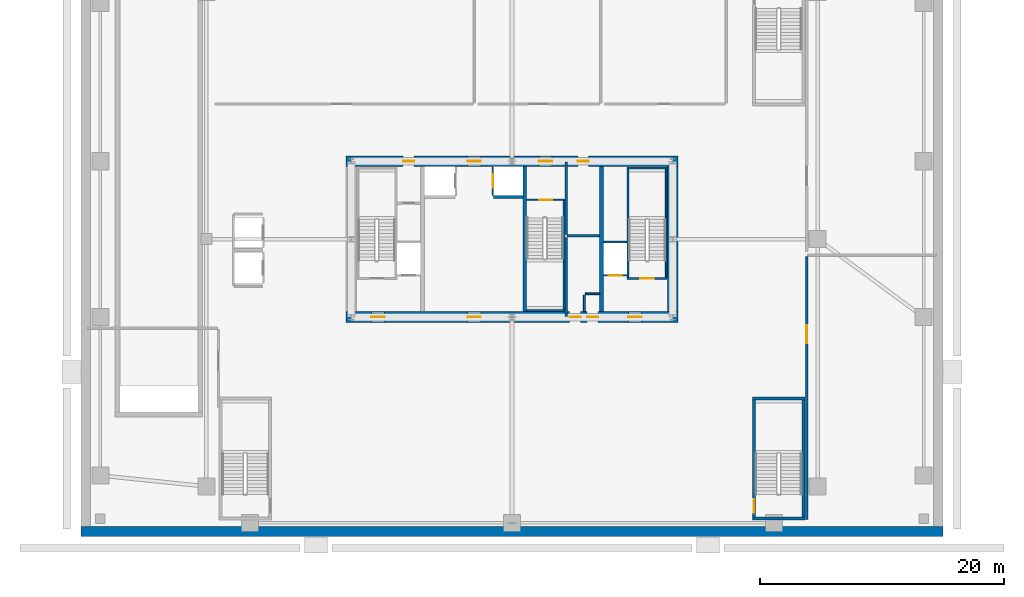
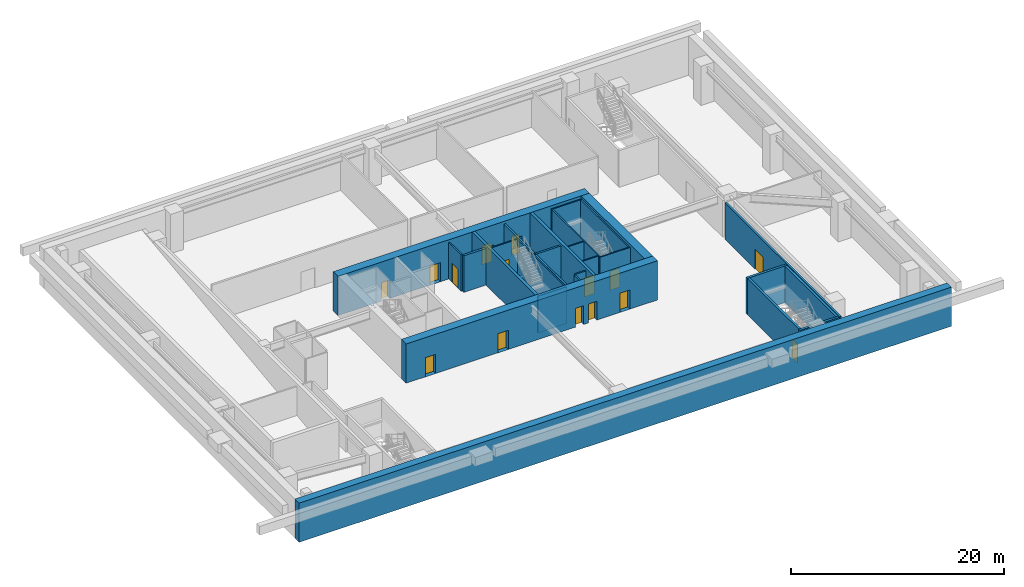
# One storey, part 5 of 9: 27 walls, 15 doors, 15 openings.
"""IFC4 building model written with IfcOpenShell, lengths in metres."""

from ifc_helpers import new_model, si_unit, direction, frame, frame_2d, origin, place, context, subcontext, project, spatial, rectangle, extrude, source, transform, mapped, material, layer, layer_set, type_object, element, fill, save


model = new_model("IFC4")

# Units and contexts
model_context = context("Model", 3, precision=1e-05, world=origin(), true_north=direction((0.0, 1.0)))
body_context = subcontext(model_context, "Body", "Model", "MODEL_VIEW")
ifc_project = project(units=[si_unit("LENGTHUNIT", "METRE"), si_unit("AREAUNIT", "SQUARE_METRE"), si_unit("VOLUMEUNIT", "CUBIC_METRE"), si_unit("PLANEANGLEUNIT", "RADIAN"), si_unit("MASSUNIT", "GRAM", prefix="KILO"), si_unit("THERMODYNAMICTEMPERATUREUNIT", "KELVIN"), si_unit("POWERUNIT", "WATT")], contexts=[model_context])

# Site, building, storey
site_placement = place(None, origin())
site = spatial("IfcSite", under=ifc_project, at=site_placement, CompositionType="ELEMENT")
building_placement = place(site_placement, origin())
building = spatial("IfcBuilding", under=site, at=building_placement, Name="Yuzanri Waterfront Tower", CompositionType="ELEMENT")
storey_placement = place(building_placement, frame((0.0, 0.0, -4.5)))
storey = spatial("IfcBuildingStorey", under=building, at=storey_placement, Name="B01", CompositionType="ELEMENT", Elevation=-4.5)

# Wall, openings, doors
ifc_material_1 = material(Name="Concrete C60", Category="concrete")
ifc_layer_1 = layer(ifc_material_1, 0.89990234375)
ifc_layer_set_1 = layer_set([ifc_layer_1], Name="Concrete C60")
wall_type_1 = type_object("IfcWallType", Name="Concrete C60 Lower Zone Core Shear Wall 900", PredefinedType="SHEAR", material=ifc_layer_set_1)
wall_1_placement = place(storey_placement, frame((23.35009765625, 19.39990234375, 0.0), z_axis=(0.0, 0.0, 1.0), x_axis=(1.0, 0.0, 0.0)))
wall_1 = element("IfcWall", 1, at=wall_1_placement, inside=storey, type_object=wall_type_1, Name="B01 Core South Shear Wall", PredefinedType="SHEAR", context=body_context, shape_type="SweptSolid", body=[
    extrude(rectangle(XDim=27.2998046875, YDim=0.89990234375, at=frame_2d((13.64990234375, 0.0))), origin(), (0.0, 0.0, 1.0), 4.5),
])
opening_1_placement = place(wall_1_placement, frame((2.10009765625, 0.0, 0.0)))
opening_1 = element("IfcOpeningElement", 2, at=opening_1_placement, cuts=wall_1, Name="Opening FD-1100", PredefinedType="OPENING", context=body_context, shape_type="SweptSolid", body=[
    extrude(rectangle(XDim=1.10009765625, YDim=2.199951171875, at=frame_2d((0.550048828125, 1.10009765625))), frame((0.0, 0.46484375, 0.0), z_axis=(0.0, -1.0, 0.0), x_axis=(1.0, 0.0, 0.0)), (0.0, 0.0, 1.0), 0.9296875),
])
opening_2_placement = place(wall_1_placement, frame((10.0, 0.0, 0.0)))
opening_2 = element("IfcOpeningElement", 3, at=opening_2_placement, cuts=wall_1, Name="Opening FD-1100", PredefinedType="OPENING", context=body_context, shape_type="SweptSolid", body=[
    extrude(rectangle(XDim=1.10009765625, YDim=2.199951171875, at=frame_2d((0.550048828125, 1.10009765625))), frame((0.0, 0.46484375, 0.0), z_axis=(0.0, -1.0, 0.0), x_axis=(1.0, 0.0, 0.0)), (0.0, 0.0, 1.0), 0.9296875),
])
opening_3_placement = place(wall_1_placement, frame((23.199951171875, 0.0, 0.0)))
opening_3 = element("IfcOpeningElement", 4, at=opening_3_placement, cuts=wall_1, Name="Opening FD-1100", PredefinedType="OPENING", context=body_context, shape_type="SweptSolid", body=[
    extrude(rectangle(XDim=1.10009765625, YDim=2.199951171875, at=frame_2d((0.550048828125, 1.10009765625))), frame((0.0, 0.46484375, 0.0), z_axis=(0.0, -1.0, 0.0), x_axis=(1.0, 0.0, 0.0)), (0.0, 0.0, 1.0), 0.9296875),
])
opening_4_placement = place(wall_1_placement, frame((19.820068359375, 0.0, 0.0)))
opening_4 = element("IfcOpeningElement", 5, at=opening_4_placement, cuts=wall_1, Name="Opening FD-0900", PredefinedType="OPENING", context=body_context, shape_type="SweptSolid", body=[
    extrude(rectangle(XDim=0.89990234375, YDim=2.14990234375, at=frame_2d((0.449951171875, 1.074951171875))), frame((0.0, 0.46484375, 0.0), z_axis=(0.0, -1.0, 0.0), x_axis=(1.0, 0.0, 0.0)), (0.0, 0.0, 1.0), 0.9296875),
])
opening_5_placement = place(wall_1_placement, frame((18.3798828125, 0.0, 0.0)))
opening_5 = element("IfcOpeningElement", 6, at=opening_5_placement, cuts=wall_1, Name="Opening FD-0900", PredefinedType="OPENING", context=body_context, shape_type="SweptSolid", body=[
    extrude(rectangle(XDim=0.89990234375, YDim=2.14990234375, at=frame_2d((0.449951171875, 1.074951171875))), frame((0.0, 0.46484375, 0.0), z_axis=(0.0, -1.0, 0.0), x_axis=(1.0, 0.0, 0.0)), (0.0, 0.0, 1.0), 0.9296875),
])
ifc_material_2 = material(Name="Painted Galvanized Fire Steel", Category="steel")
door_type_1 = type_object("IfcDoorType", Name="Smoke-Proof Stair and Lobby Fire Door 1100x2200", OperationType="NOTDEFINED", PredefinedType="DOOR", material=ifc_material_2)
shared_shape_1 = source(origin(), body_context, "Body", "SweptSolid", [
    extrude(rectangle(XDim=1.10009765625, YDim=2.199951171875, at=frame_2d((0.550048828125, 1.10009765625))), frame((0.0, 0.02490234375, 0.0), z_axis=(0.0, -1.0, 0.0), x_axis=(1.0, 0.0, 0.0)), (0.0, 0.0, 1.0), 0.050048828125),
])
door_1_placement = place(opening_1_placement, origin())
door_1 = element("IfcDoor", 7, at=door_1_placement, inside=storey, type_object=door_type_1, Name="B01 West Firefighting Lobby Door", OperationType="SINGLE_SWING_RIGHT", OverallHeight=2.199951171875, OverallWidth=1.10009765625, PredefinedType="DOOR", context=body_context, shape_type="MappedRepresentation", body=[
    mapped(shared_shape_1, transform((0.0, 0.0, 0.0), scale=1.0)),
])
fill(opening_1, door_1)
door_2_placement = place(opening_2_placement, origin())
door_2 = element("IfcDoor", 8, at=door_2_placement, inside=storey, type_object=door_type_1, Name="B01 Central Lift Lobby South Door", OperationType="SINGLE_SWING_LEFT", OverallHeight=2.199951171875, OverallWidth=1.10009765625, PredefinedType="DOOR", context=body_context, shape_type="MappedRepresentation", body=[
    mapped(shared_shape_1, transform((0.0, 0.0, 0.0), scale=1.0)),
])
fill(opening_2, door_2)
door_3_placement = place(opening_3_placement, origin())
door_3 = element("IfcDoor", 9, at=door_3_placement, inside=storey, type_object=door_type_1, Name="B01 East Firefighting Lobby Door", OperationType="SINGLE_SWING_RIGHT", OverallHeight=2.199951171875, OverallWidth=1.10009765625, PredefinedType="DOOR", context=body_context, shape_type="MappedRepresentation", body=[
    mapped(shared_shape_1, transform((0.0, 0.0, 0.0), scale=1.0)),
])
fill(opening_3, door_3)
ifc_material_3 = material(Name="Painted Galvanized Fire Steel", Category="steel")
door_type_2 = type_object("IfcDoorType", Name="Riser and Service Room Fire Door 900x2150", OperationType="NOTDEFINED", PredefinedType="DOOR", material=ifc_material_3)
shared_shape_2 = source(origin(), body_context, "Body", "SweptSolid", [
    extrude(rectangle(XDim=0.89990234375, YDim=2.14990234375, at=frame_2d((0.449951171875, 1.074951171875))), frame((0.0, 0.02490234375, 0.0), z_axis=(0.0, -1.0, 0.0), x_axis=(1.0, 0.0, 0.0)), (0.0, 0.0, 1.0), 0.050048828125),
])
door_4_placement = place(opening_4_placement, origin())
door_4 = element("IfcDoor", 10, at=door_4_placement, inside=storey, type_object=door_type_2, Name="B01 East Wet Riser Door", OperationType="SINGLE_SWING_LEFT", OverallHeight=2.14990234375, OverallWidth=0.89990234375, PredefinedType="DOOR", context=body_context, shape_type="MappedRepresentation", body=[
    mapped(shared_shape_2, transform((0.0, 0.0, 0.0), scale=1.0)),
])
fill(opening_4, door_4)
door_5_placement = place(opening_5_placement, origin())
door_5 = element("IfcDoor", 11, at=door_5_placement, inside=storey, type_object=door_type_2, Name="B01 Meter and Valve Store Room", OperationType="SINGLE_SWING_RIGHT", OverallHeight=2.14990234375, OverallWidth=0.89990234375, PredefinedType="DOOR", context=body_context, shape_type="MappedRepresentation", body=[
    mapped(shared_shape_2, transform((0.0, 0.0, 0.0), scale=1.0)),
])
fill(opening_5, door_5)

wall_2_placement = place(storey_placement, frame((23.35009765625, 32.199951171875, 0.0), z_axis=(0.0, 0.0, 1.0), x_axis=(1.0, 0.0, 0.0)))
wall_2 = element("IfcWall", 12, at=wall_2_placement, inside=storey, type_object=wall_type_1, Name="B01 Core North Shear Wall", PredefinedType="SHEAR", context=body_context, shape_type="SweptSolid", body=[
    extrude(rectangle(XDim=27.2998046875, YDim=0.89990234375, at=frame_2d((13.64990234375, 0.0))), origin(), (0.0, 0.0, 1.0), 4.5),
])
opening_6_placement = place(wall_2_placement, frame((4.719970703125, 0.0, 0.0)))
opening_6 = element("IfcOpeningElement", 13, at=opening_6_placement, cuts=wall_2, Name="Opening FD-0900", PredefinedType="OPENING", context=body_context, shape_type="SweptSolid", body=[
    extrude(rectangle(XDim=0.89990234375, YDim=2.14990234375, at=frame_2d((0.449951171875, 1.074951171875))), frame((0.0, 0.46484375, 0.0), z_axis=(0.0, -1.0, 0.0), x_axis=(1.0, 0.0, 0.0)), (0.0, 0.0, 1.0), 0.9296875),
])
opening_7_placement = place(wall_2_placement, frame((10.0, 0.0, 0.0)))
opening_7 = element("IfcOpeningElement", 14, at=opening_7_placement, cuts=wall_2, Name="Opening FD-1100", PredefinedType="OPENING", context=body_context, shape_type="SweptSolid", body=[
    extrude(rectangle(XDim=1.10009765625, YDim=2.199951171875, at=frame_2d((0.550048828125, 1.10009765625))), frame((0.0, 0.46484375, 0.0), z_axis=(0.0, -1.0, 0.0), x_axis=(1.0, 0.0, 0.0)), (0.0, 0.0, 1.0), 0.9296875),
])
opening_8_placement = place(wall_2_placement, frame((15.85009765625, 0.0, 0.0)))
opening_8 = element("IfcOpeningElement", 15, at=opening_8_placement, cuts=wall_2, Name="Opening FD-1100", PredefinedType="OPENING", context=body_context, shape_type="SweptSolid", body=[
    extrude(rectangle(XDim=1.10009765625, YDim=2.199951171875, at=frame_2d((0.550048828125, 1.10009765625))), frame((0.0, 0.46484375, 0.0), z_axis=(0.0, -1.0, 0.0), x_axis=(1.0, 0.0, 0.0)), (0.0, 0.0, 1.0), 0.9296875),
])
opening_9_placement = place(wall_2_placement, frame((19.050048828125, 0.0, 0.0)))
opening_9 = element("IfcOpeningElement", 16, at=opening_9_placement, cuts=wall_2, Name="Opening FD-0900", PredefinedType="OPENING", context=body_context, shape_type="SweptSolid", body=[
    extrude(rectangle(XDim=0.89990234375, YDim=2.14990234375, at=frame_2d((0.449951171875, 1.074951171875))), frame((0.0, 0.46484375, 0.0), z_axis=(0.0, -1.0, 0.0), x_axis=(1.0, 0.0, 0.0)), (0.0, 0.0, 1.0), 0.9296875),
])
door_6_placement = place(opening_7_placement, origin())
door_6 = element("IfcDoor", 17, at=door_6_placement, inside=storey, type_object=door_type_1, Name="B01 Central Lift Lobby North Door", OperationType="SINGLE_SWING_RIGHT", OverallHeight=2.199951171875, OverallWidth=1.10009765625, PredefinedType="DOOR", context=body_context, shape_type="MappedRepresentation", body=[
    mapped(shared_shape_1, transform((0.0, 0.0, 0.0), scale=1.0)),
])
fill(opening_7, door_6)
door_7_placement = place(opening_8_placement, origin())
door_7 = element("IfcDoor", 18, at=door_7_placement, inside=storey, type_object=door_type_1, Name="B01 North Stair Lobby Door", OperationType="SINGLE_SWING_LEFT", OverallHeight=2.199951171875, OverallWidth=1.10009765625, PredefinedType="DOOR", context=body_context, shape_type="MappedRepresentation", body=[
    mapped(shared_shape_1, transform((0.0, 0.0, 0.0), scale=1.0)),
])
fill(opening_8, door_7)
door_8_placement = place(opening_6_placement, origin())
door_8 = element("IfcDoor", 19, at=door_8_placement, inside=storey, type_object=door_type_2, Name="B01 Telecom Riser Door", OperationType="SINGLE_SWING_LEFT", OverallHeight=2.14990234375, OverallWidth=0.89990234375, PredefinedType="DOOR", context=body_context, shape_type="MappedRepresentation", body=[
    mapped(shared_shape_2, transform((0.0, 0.0, 0.0), scale=1.0)),
])
fill(opening_6, door_8)
door_9_placement = place(opening_9_placement, origin())
door_9 = element("IfcDoor", 20, at=door_9_placement, inside=storey, type_object=door_type_2, Name="B01 Cleaners Store Room", OperationType="SINGLE_SWING_LEFT", OverallHeight=2.14990234375, OverallWidth=0.89990234375, PredefinedType="DOOR", context=body_context, shape_type="MappedRepresentation", body=[
    mapped(shared_shape_2, transform((0.0, 0.0, 0.0), scale=1.0)),
])
fill(opening_9, door_9)

# Wall, opening, door
ifc_material_4 = material(Name="Concrete C40", Category="concrete")
ifc_layer_2 = layer(ifc_material_4, 0.139892578125)
ifc_layer_set_2 = layer_set([ifc_layer_2], Name="Concrete C40")
wall_type_2 = type_object("IfcWallType", Name="Core Stair Liner and Hoistway Shaft Wall 140", PredefinedType="SOLIDWALL", material=ifc_layer_set_2)
wall_3_placement = place(storey_placement, frame((44.52001953125, 22.830078125, 0.0), z_axis=(0.0, 0.0, 1.0), x_axis=(1.0, 0.0, 0.0)))
wall_3 = element("IfcWall", 21, at=wall_3_placement, inside=storey, type_object=wall_type_2, Name="B01 Lift FL-02 Front Shaft Wall", PredefinedType="SOLIDWALL", context=body_context, shape_type="SweptSolid", body=[
    extrude(rectangle(XDim=1.919921875, YDim=0.139892578125, at=frame_2d((0.9599609375, 0.0))), origin(), (0.0, 0.0, 1.0), 4.199951171875),
])
opening_10_placement = place(wall_3_placement, frame((0.409912109375, 0.0, 0.0)))
opening_10 = element("IfcOpeningElement", 22, at=opening_10_placement, cuts=wall_3, Name="Opening LD-FL-02", PredefinedType="OPENING", context=body_context, shape_type="SweptSolid", body=[
    extrude(rectangle(XDim=1.10009765625, YDim=2.199951171875, at=frame_2d((0.550048828125, 1.10009765625))), frame((0.0, 0.0849609375, 0.0), z_axis=(0.0, -1.0, 0.0), x_axis=(1.0, 0.0, 0.0)), (0.0, 0.0, 1.0), 0.169677734375),
])
ifc_material_5 = material(Name="Brushed Bronze and Stainless Steel Cab", Category="steel")
door_type_3 = type_object("IfcDoorType", Name="Center-Parting Bronze Lift Landing Sliding Door 1100x2200", OperationType="NOTDEFINED", PredefinedType="DOOR", material=ifc_material_5)
shared_shape_3 = source(origin(), body_context, "Body", "SweptSolid", [
    extrude(rectangle(XDim=1.10009765625, YDim=2.199951171875, at=frame_2d((0.550048828125, 1.10009765625))), frame((0.0, 0.02490234375, 0.0), z_axis=(0.0, -1.0, 0.0), x_axis=(1.0, 0.0, 0.0)), (0.0, 0.0, 1.0), 0.050048828125),
])
door_10_placement = place(opening_10_placement, origin())
door_10 = element("IfcDoor", 23, at=door_10_placement, inside=storey, type_object=door_type_3, Name="B01 FL-02 Lift Landing Sliding Door", OperationType="SLIDING_TO_RIGHT", OverallHeight=2.199951171875, OverallWidth=1.10009765625, PredefinedType="DOOR", context=body_context, shape_type="MappedRepresentation", body=[
    mapped(shared_shape_3, transform((0.0, 0.0, 0.0), scale=1.0)),
])
fill(opening_10, door_10)

wall_4_placement = place(storey_placement, frame((35.429931640625, 29.39990234375, 0.0), z_axis=(0.0, 0.0, 1.0), x_axis=(0.0, 1.0, 0.0)))
wall_4 = element("IfcWall", 24, at=wall_4_placement, inside=storey, type_object=wall_type_2, Name="B01 Lift SL-02 Front Shaft Wall", PredefinedType="SOLIDWALL", context=body_context, shape_type="SweptSolid", body=[
    extrude(rectangle(XDim=2.340087890625, YDim=0.139892578125, at=frame_2d((1.169921875, 0.0))), origin(), (0.0, 0.0, 1.0), 4.199951171875),
])
opening_11_placement = place(wall_4_placement, frame((0.6201171875, 0.0, 0.0)))
opening_11 = element("IfcOpeningElement", 25, at=opening_11_placement, cuts=wall_4, Name="Opening LD-SL-02", PredefinedType="OPENING", context=body_context, shape_type="SweptSolid", body=[
    extrude(rectangle(XDim=1.10009765625, YDim=2.199951171875, at=frame_2d((0.550048828125, 1.10009765625))), frame((0.0, 0.0849609375, 0.0), z_axis=(0.0, -1.0, 0.0), x_axis=(1.0, 0.0, 0.0)), (0.0, 0.0, 1.0), 0.169677734375),
])
door_11_placement = place(opening_11_placement, origin())
door_11 = element("IfcDoor", 26, at=door_11_placement, inside=storey, type_object=door_type_3, Name="B01 SL-02 Lift Landing Sliding Door", OperationType="SLIDING_TO_RIGHT", OverallHeight=2.199951171875, OverallWidth=1.10009765625, PredefinedType="DOOR", context=body_context, shape_type="MappedRepresentation", body=[
    mapped(shared_shape_3, transform((0.0, 0.0, 0.0), scale=1.0)),
])
fill(opening_11, door_11)

wall_5_placement = place(storey_placement, frame((46.4599609375, 22.570068359375, 0.0), z_axis=(0.0, 0.0, 1.0), x_axis=(1.0, 0.0, 0.0)))
wall_5 = element("IfcWall", 27, at=wall_5_placement, inside=storey, type_object=wall_type_2, Name="B01 Shaft Wall STW-B01-ST-02-S", PredefinedType="SOLIDWALL", context=body_context, shape_type="SweptSolid", body=[
    extrude(rectangle(XDim=3.280029296875, YDim=0.139892578125, at=frame_2d((1.64013671875, 0.0))), origin(), (0.0, 0.0, 1.0), 4.199951171875),
])
opening_12_placement = place(wall_5_placement, frame((1.090087890625, 0.0, 0.0)))
opening_12 = element("IfcOpeningElement", 28, at=opening_12_placement, cuts=wall_5, Name="Opening FD-1100", PredefinedType="OPENING", context=body_context, shape_type="SweptSolid", body=[
    extrude(rectangle(XDim=1.10009765625, YDim=2.199951171875, at=frame_2d((0.550048828125, 1.10009765625))), frame((0.0, 0.0849609375, 0.0), z_axis=(0.0, -1.0, 0.0), x_axis=(1.0, 0.0, 0.0)), (0.0, 0.0, 1.0), 0.169677734375),
])
door_12_placement = place(opening_12_placement, origin())
door_12 = element("IfcDoor", 29, at=door_12_placement, inside=storey, type_object=door_type_1, Name="B01 Stair ST-02 Fire Door", OperationType="SINGLE_SWING_LEFT", OverallHeight=2.199951171875, OverallWidth=1.10009765625, PredefinedType="DOOR", context=body_context, shape_type="MappedRepresentation", body=[
    mapped(shared_shape_1, transform((0.0, 0.0, 0.0), scale=1.0)),
])
fill(opening_12, door_12)

wall_6_placement = place(storey_placement, frame((38.199951171875, 29.030029296875, 0.0), z_axis=(0.0, 0.0, 1.0), x_axis=(1.0, 0.0, 0.0)))
wall_6 = element("IfcWall", 30, at=wall_6_placement, inside=storey, type_object=wall_type_2, Name="B01 Shaft Wall STW-B01-ST-03-N", PredefinedType="SOLIDWALL", context=body_context, shape_type="SweptSolid", body=[
    extrude(rectangle(XDim=3.14013671875, YDim=0.139892578125, at=frame_2d((1.570068359375, 0.0))), origin(), (0.0, 0.0, 1.0), 4.199951171875),
])
opening_13_placement = place(wall_6_placement, frame((1.02001953125, 0.0, 0.0)))
opening_13 = element("IfcOpeningElement", 31, at=opening_13_placement, cuts=wall_6, Name="Opening FD-1100", PredefinedType="OPENING", context=body_context, shape_type="SweptSolid", body=[
    extrude(rectangle(XDim=1.10009765625, YDim=2.199951171875, at=frame_2d((0.550048828125, 1.10009765625))), frame((0.0, 0.0849609375, 0.0), z_axis=(0.0, -1.0, 0.0), x_axis=(1.0, 0.0, 0.0)), (0.0, 0.0, 1.0), 0.169677734375),
])
door_13_placement = place(opening_13_placement, origin())
door_13 = element("IfcDoor", 32, at=door_13_placement, inside=storey, type_object=door_type_1, Name="B01 Stair ST-03 Fire Door", OperationType="SINGLE_SWING_RIGHT", OverallHeight=2.199951171875, OverallWidth=1.10009765625, PredefinedType="DOOR", context=body_context, shape_type="MappedRepresentation", body=[
    mapped(shared_shape_1, transform((0.0, 0.0, 0.0), scale=1.0)),
])
fill(opening_13, door_13)

ifc_material_6 = material(Name="Autoclaved Aerated Concrete Blockwork", Category="masonry")
ifc_layer_3 = layer(ifc_material_6, 0.199951171875)
ifc_layer_set_3 = layer_set([ifc_layer_3], Name="Autoclaved Aerated Concrete Blockwork")
wall_type_3 = type_object("IfcWallType", Name="Corridor and Unit Party Fire Wall 200", PredefinedType="PARTITIONING", material=ifc_layer_set_3)
wall_7_placement = place(storey_placement, frame((61.199951171875, 2.800048828125, 0.0), z_axis=(0.0, 0.0, 1.0), x_axis=(0.0, 1.0, 0.0)))
wall_7 = element("IfcWall", 33, at=wall_7_placement, inside=storey, type_object=wall_type_3, Name="B01 Partition PRW-B01-031-W", PredefinedType="PARTITIONING", context=body_context, shape_type="SweptSolid", body=[
    extrude(rectangle(XDim=21.599853515625, YDim=0.199951171875, at=frame_2d((10.7998046875, 0.0))), origin(), (0.0, 0.0, 1.0), 4.199951171875),
])
opening_14_placement = place(wall_7_placement, frame((14.449951171875, 0.0, 0.0)))
opening_14 = element("IfcOpeningElement", 34, at=opening_14_placement, cuts=wall_7, Name="Opening FD-1500", PredefinedType="OPENING", context=body_context, shape_type="SweptSolid", body=[
    extrude(rectangle(XDim=1.5, YDim=2.300048828125, at=frame_2d((0.75, 1.14990234375))), frame((0.0, 0.11474609375, 0.0), z_axis=(0.0, -1.0, 0.0), x_axis=(1.0, 0.0, 0.0)), (0.0, 0.0, 1.0), 0.229736328125),
])
ifc_material_7 = material(Name="Painted Galvanized Fire Steel", Category="steel")
door_type_4 = type_object("IfcDoorType", Name="Plant and Ballroom Double Fire Door 1500x2300", OperationType="NOTDEFINED", PredefinedType="DOOR", material=ifc_material_7)
shared_shape_4 = source(origin(), body_context, "Body", "SweptSolid", [
    extrude(rectangle(XDim=1.5, YDim=2.300048828125, at=frame_2d((0.75, 1.14990234375))), frame((0.0, 0.02490234375, 0.0), z_axis=(0.0, -1.0, 0.0), x_axis=(1.0, 0.0, 0.0)), (0.0, 0.0, 1.0), 0.050048828125),
])
door_14_placement = place(opening_14_placement, origin())
door_14 = element("IfcDoor", 35, at=door_14_placement, inside=storey, type_object=door_type_4, Name="B01 High-Voltage Substation and Switchgear Room", OperationType="DOUBLE_DOOR_SINGLE_SWING", OverallHeight=2.300048828125, OverallWidth=1.5, PredefinedType="DOOR", context=body_context, shape_type="MappedRepresentation", body=[
    mapped(shared_shape_4, transform((0.0, 0.0, 0.0), scale=1.0)),
])
fill(opening_14, door_14)

ifc_material_8 = material(Name="Concrete C40", Category="concrete")
ifc_layer_4 = layer(ifc_material_8, 0.25)
ifc_layer_set_4 = layer_set([ifc_layer_4], Name="Concrete C40")
wall_type_4 = type_object("IfcWallType", Name="Smoke-Proof Stair and Lift Shaft Wall 250", PredefinedType="SOLIDWALL", material=ifc_layer_set_4)
wall_8_placement = place(storey_placement, frame((56.875, 3.0, 0.0), z_axis=(0.0, 0.0, 1.0), x_axis=(0.0, 1.0, 0.0)))
wall_8 = element("IfcWall", 36, at=wall_8_placement, inside=storey, type_object=wall_type_4, Name="B01 Shaft Wall PSTW-B01-PST-02-W", PredefinedType="SOLIDWALL", context=body_context, shape_type="SweptSolid", body=[
    extrude(rectangle(XDim=9.60009765625, YDim=0.25, at=frame_2d((4.800048828125, 0.0))), origin(), (0.0, 0.0, 1.0), 4.199951171875),
])
opening_15_placement = place(wall_8_placement, frame((0.35009765625, 0.0, 0.0)))
opening_15 = element("IfcOpeningElement", 37, at=opening_15_placement, cuts=wall_8, Name="Opening FD-1100", PredefinedType="OPENING", context=body_context, shape_type="SweptSolid", body=[
    extrude(rectangle(XDim=1.10009765625, YDim=2.199951171875, at=frame_2d((0.550048828125, 1.10009765625))), frame((0.0, 0.139892578125, 0.0), z_axis=(0.0, -1.0, 0.0), x_axis=(1.0, 0.0, 0.0)), (0.0, 0.0, 1.0), 0.27978515625),
])
door_15_placement = place(opening_15_placement, origin())
door_15 = element("IfcDoor", 38, at=door_15_placement, inside=storey, type_object=door_type_1, Name="B01 PST-02 Stair Door", OperationType="SINGLE_SWING_RIGHT", OverallHeight=2.199951171875, OverallWidth=1.10009765625, PredefinedType="DOOR", context=body_context, shape_type="MappedRepresentation", body=[
    mapped(shared_shape_1, transform((0.0, 0.0, 0.0), scale=1.0)),
])
fill(opening_15, door_15)

# Walls
ifc_material_9 = material(Name="Concrete C50", Category="concrete")
ifc_layer_5 = layer(ifc_material_9, 0.800048828125)
ifc_layer_set_5 = layer_set([ifc_layer_5], Name="Concrete C50")
wall_type_5 = type_object("IfcWallType", Name="Concrete C50 Basement Perimeter Waterproof Retaining Wall 800", PredefinedType="USERDEFINED", material=ifc_layer_set_5)
shared_shape_5 = source(origin(), body_context, "Body", "SweptSolid", [
    extrude(rectangle(XDim=70.7998046875, YDim=0.800048828125, at=frame_2d((35.39990234375, 0.0))), origin(), (0.0, 0.0, 1.0), 4.5),
])
wall_9_placement = place(storey_placement, frame((1.60009765625, 1.800048828125, 0.0), z_axis=(0.0, 0.0, 1.0), x_axis=(1.0, 0.0, 0.0)))
element("IfcWall", 39, at=wall_9_placement, inside=storey, type_object=wall_type_5, Name="B01 South Retaining Wall", ObjectType="RETAININGWALL", PredefinedType="USERDEFINED", context=body_context, shape_type="MappedRepresentation", body=[
    mapped(shared_shape_5, transform((0.0, 0.0, 0.0), scale=1.0)),
])
shared_shape_6 = source(origin(), body_context, "Body", "SweptSolid", [
    extrude(rectangle(XDim=11.89990234375, YDim=0.89990234375, at=frame_2d((5.949951171875, 0.0))), origin(), (0.0, 0.0, 1.0), 4.5),
])
wall_10_placement = place(storey_placement, frame((50.199951171875, 19.85009765625, 0.0), z_axis=(0.0, 0.0, 1.0), x_axis=(0.0, 1.0, 0.0)))
element("IfcWall", 40, at=wall_10_placement, inside=storey, type_object=wall_type_1, Name="B01 Core East Shear Wall", PredefinedType="SHEAR", context=body_context, shape_type="MappedRepresentation", body=[
    mapped(shared_shape_6, transform((0.0, 0.0, 0.0), scale=1.0)),
])
ifc_material_10 = material(Name="Concrete C50", Category="concrete")
ifc_layer_6 = layer(ifc_material_10, 0.300048828125)
ifc_layer_set_6 = layer_set([ifc_layer_6], Name="Concrete C50")
wall_type_6 = type_object("IfcWallType", Name="Concrete C50 Internal Core Shaft Structural Wall 300", PredefinedType="SOLIDWALL", material=ifc_layer_set_6)
shared_shape_7 = source(origin(), body_context, "Body", "SweptSolid", [
    extrude(rectangle(XDim=11.89990234375, YDim=0.300048828125, at=frame_2d((5.949951171875, 0.0))), origin(), (0.0, 0.0, 1.0), 4.5),
])
for number, where, z_axis, x_axis, name in (
    (41, (38.050048828125, 19.85009765625, 0.0), (0.0, 0.0, 1.0), (0.0, 1.0, 0.0), "B01 Core Internal Structural Web Wall 2"),
    (42, (44.35009765625, 19.85009765625, 0.0), (0.0, 0.0, 1.0), (0.0, 1.0, 0.0), "B01 Core Internal Structural Web Wall 3"),
):
    element("IfcWall", number, at=place(storey_placement, frame(where, z_axis=z_axis, x_axis=x_axis)), inside=storey, type_object=wall_type_6, Name=name, PredefinedType="SOLIDWALL", context=body_context, shape_type="MappedRepresentation", body=[
        mapped(shared_shape_7, transform((0.0, 0.0, 0.0), scale=1.0)),
    ])
shared_shape_8 = source(origin(), body_context, "Body", "SweptSolid", [
    extrude(rectangle(XDim=1.919921875, YDim=0.139892578125, at=frame_2d((0.9599609375, 0.0))), origin(), (0.0, 0.0, 1.0), 4.199951171875),
])
wall_11_placement = place(storey_placement, frame((44.52001953125, 25.570068359375, 0.0), z_axis=(0.0, 0.0, 1.0), x_axis=(1.0, 0.0, 0.0)))
element("IfcWall", 43, at=wall_11_placement, inside=storey, type_object=wall_type_2, Name="B01 Lift FL-02 Back Shaft Wall", PredefinedType="SOLIDWALL", context=body_context, shape_type="MappedRepresentation", body=[
    mapped(shared_shape_8, transform((0.0, 0.0, 0.0), scale=1.0)),
])
shared_shape_9 = source(origin(), body_context, "Body", "SweptSolid", [
    extrude(rectangle(XDim=2.39990234375, YDim=0.25, at=frame_2d((1.199951171875, 0.0))), origin(), (0.0, 0.0, 1.0), 4.199951171875),
])
wall_12_placement = place(storey_placement, frame((35.5, 29.25, 0.0), z_axis=(0.0, 0.0, 1.0), x_axis=(1.0, 0.0, 0.0)))
element("IfcWall", 44, at=wall_12_placement, inside=storey, type_object=wall_type_4, Name="B01 Lift SL-02 South Shaft Wall", PredefinedType="SOLIDWALL", context=body_context, shape_type="MappedRepresentation", body=[
    mapped(shared_shape_9, transform((0.0, 0.0, 0.0), scale=1.0)),
])
shared_shape_10 = source(origin(), body_context, "Body", "SweptSolid", [
    extrude(rectangle(XDim=3.280029296875, YDim=0.139892578125, at=frame_2d((1.64013671875, 0.0))), origin(), (0.0, 0.0, 1.0), 4.199951171875),
])
wall_13_placement = place(storey_placement, frame((46.4599609375, 31.64990234375, 0.0), z_axis=(0.0, 0.0, 1.0), x_axis=(1.0, 0.0, 0.0)))
element("IfcWall", 45, at=wall_13_placement, inside=storey, type_object=wall_type_2, Name="B01 Stair ST-02 North Shaft Wall", PredefinedType="SOLIDWALL", context=body_context, shape_type="MappedRepresentation", body=[
    mapped(shared_shape_10, transform((0.0, 0.0, 0.0), scale=1.0)),
])
shared_shape_11 = source(origin(), body_context, "Body", "SweptSolid", [
    extrude(rectangle(XDim=8.940185546875, YDim=0.139892578125, at=frame_2d((4.47021484375, 0.0))), origin(), (0.0, 0.0, 1.0), 4.199951171875),
])
for number, where, z_axis, x_axis, name in (
    (46, (46.530029296875, 22.639892578125, 0.0), (0.0, 0.0, 1.0), (0.0, 1.0, 0.0), "B01 Stair ST-02 West Shaft Wall"),
    (47, (49.669921875, 22.639892578125, 0.0), (0.0, 0.0, 1.0), (0.0, 1.0, 0.0), "B01 Stair ST-02 East Shaft Wall"),
):
    element("IfcWall", number, at=place(storey_placement, frame(where, z_axis=z_axis, x_axis=x_axis)), inside=storey, type_object=wall_type_2, Name=name, PredefinedType="SOLIDWALL", context=body_context, shape_type="MappedRepresentation", body=[
        mapped(shared_shape_11, transform((0.0, 0.0, 0.0), scale=1.0)),
    ])
shared_shape_12 = source(origin(), body_context, "Body", "SweptSolid", [
    extrude(rectangle(XDim=3.14013671875, YDim=0.139892578125, at=frame_2d((1.570068359375, 0.0))), origin(), (0.0, 0.0, 1.0), 4.199951171875),
])
wall_14_placement = place(storey_placement, frame((38.199951171875, 19.949951171875, 0.0), z_axis=(0.0, 0.0, 1.0), x_axis=(1.0, 0.0, 0.0)))
element("IfcWall", 48, at=wall_14_placement, inside=storey, type_object=wall_type_2, Name="B01 Stair ST-03 South Shaft Wall", PredefinedType="SOLIDWALL", context=body_context, shape_type="MappedRepresentation", body=[
    mapped(shared_shape_12, transform((0.0, 0.0, 0.0), scale=1.0)),
])
shared_shape_13 = source(origin(), body_context, "Body", "SweptSolid", [
    extrude(rectangle(XDim=8.93994140625, YDim=0.139892578125, at=frame_2d((4.469970703125, 0.0))), origin(), (0.0, 0.0, 1.0), 4.199951171875),
])
wall_15_placement = place(storey_placement, frame((41.27001953125, 20.02001953125, 0.0), z_axis=(0.0, 0.0, 1.0), x_axis=(0.0, 1.0, 0.0)))
element("IfcWall", 49, at=wall_15_placement, inside=storey, type_object=wall_type_2, Name="B01 Stair ST-03 East Shaft Wall", PredefinedType="SOLIDWALL", context=body_context, shape_type="MappedRepresentation", body=[
    mapped(shared_shape_13, transform((0.0, 0.0, 0.0), scale=1.0)),
])
shared_shape_14 = source(origin(), body_context, "Body", "SweptSolid", [
    extrude(rectangle(XDim=4.300048828125, YDim=0.25, at=frame_2d((2.14990234375, 0.0))), origin(), (0.0, 0.0, 1.0), 4.199951171875),
])
for number, where, z_axis, x_axis, name in (
    (50, (56.75, 2.875, 0.0), (0.0, 0.0, 1.0), (1.0, 0.0, 0.0), "B01 PST-02 South Wall"),
    (51, (56.75, 12.72509765625, 0.0), (0.0, 0.0, 1.0), (1.0, 0.0, 0.0), "B01 PST-02 North Wall"),
):
    element("IfcWall", number, at=place(storey_placement, frame(where, z_axis=z_axis, x_axis=x_axis)), inside=storey, type_object=wall_type_4, Name=name, PredefinedType="SOLIDWALL", context=body_context, shape_type="MappedRepresentation", body=[
        mapped(shared_shape_14, transform((0.0, 0.0, 0.0), scale=1.0)),
    ])
shared_shape_15 = source(origin(), body_context, "Body", "SweptSolid", [
    extrude(rectangle(XDim=9.60009765625, YDim=0.25, at=frame_2d((4.800048828125, 0.0))), origin(), (0.0, 0.0, 1.0), 4.199951171875),
])
wall_16_placement = place(storey_placement, frame((60.925048828125, 3.0, 0.0), z_axis=(0.0, 0.0, 1.0), x_axis=(0.0, 1.0, 0.0)))
element("IfcWall", 52, at=wall_16_placement, inside=storey, type_object=wall_type_4, Name="B01 Shaft Wall PSTW-B01-PST-02-E", PredefinedType="SOLIDWALL", context=body_context, shape_type="MappedRepresentation", body=[
    mapped(shared_shape_15, transform((0.0, 0.0, 0.0), scale=1.0)),
])
ifc_material_11 = material(Name="Gypsum Fireboard Acoustic Stud Wall", Category="gypsum")
ifc_layer_7 = layer(ifc_material_11, 0.159912109375)
ifc_layer_set_7 = layer_set([ifc_layer_7], Name="Gypsum Fireboard Acoustic Stud Wall")
wall_type_7 = type_object("IfcWallType", Name="Acoustic Suite Demising Partition 160", PredefinedType="PARTITIONING", material=ifc_layer_set_7)
shared_shape_16 = source(origin(), body_context, "Body", "SweptSolid", [
    extrude(rectangle(XDim=1.33984375, YDim=0.159912109375, at=frame_2d((0.669921875, 0.0))), origin(), (0.0, 0.0, 1.0), 4.199951171875),
])
wall_17_placement = place(storey_placement, frame((42.949951171875, 19.860107421875, 0.0), z_axis=(0.0, 0.0, 1.0), x_axis=(0.0, 1.0, 0.0)))
element("IfcWall", 53, at=wall_17_placement, inside=storey, type_object=wall_type_7, Name="B01 East Wet Riser West Wall", PredefinedType="PARTITIONING", context=body_context, shape_type="MappedRepresentation", body=[
    mapped(shared_shape_16, transform((0.0, 0.0, 0.0), scale=1.0)),
])
shared_shape_17 = source(origin(), body_context, "Body", "SweptSolid", [
    extrude(rectangle(XDim=1.169921875, YDim=0.159912109375, at=frame_2d((0.5849609375, 0.0))), origin(), (0.0, 0.0, 1.0), 4.199951171875),
])
wall_18_placement = place(storey_placement, frame((43.030029296875, 21.320068359375, 0.0), z_axis=(0.0, 0.0, 1.0), x_axis=(1.0, 0.0, 0.0)))
element("IfcWall", 54, at=wall_18_placement, inside=storey, type_object=wall_type_7, Name="B01 East Wet Riser North Wall", PredefinedType="PARTITIONING", context=body_context, shape_type="MappedRepresentation", body=[
    mapped(shared_shape_17, transform((0.0, 0.0, 0.0), scale=1.0)),
])
shared_shape_18 = source(origin(), body_context, "Body", "SweptSolid", [
    extrude(rectangle(XDim=6.510009765625, YDim=0.199951171875, at=frame_2d((3.2548828125, 0.0))), origin(), (0.0, 0.0, 1.0), 4.199951171875),
])
wall_19_placement = place(storey_placement, frame((41.449951171875, 19.43994140625, 0.0), z_axis=(0.0, 0.0, 1.0), x_axis=(0.0, 1.0, 0.0)))
element("IfcWall", 55, at=wall_19_placement, inside=storey, type_object=wall_type_3, Name="B01 Core BOH West Wall 1", PredefinedType="PARTITIONING", context=body_context, shape_type="MappedRepresentation", body=[
    mapped(shared_shape_18, transform((0.0, 0.0, 0.0), scale=1.0)),
])
shared_shape_19 = source(origin(), body_context, "Body", "SweptSolid", [
    extrude(rectangle(XDim=2.699951171875, YDim=0.199951171875, at=frame_2d((1.35009765625, 0.0))), origin(), (0.0, 0.0, 1.0), 4.199951171875),
])
wall_20_placement = place(storey_placement, frame((41.5, 26.070068359375, 0.0), z_axis=(0.0, 0.0, 1.0), x_axis=(1.0, 0.0, 0.0)))
element("IfcWall", 56, at=wall_20_placement, inside=storey, type_object=wall_type_3, Name="B01 Core BOH Split Wall 1", PredefinedType="PARTITIONING", context=body_context, shape_type="MappedRepresentation", body=[
    mapped(shared_shape_19, transform((0.0, 0.0, 0.0), scale=1.0)),
])
shared_shape_20 = source(origin(), body_context, "Body", "SweptSolid", [
    extrude(rectangle(XDim=5.9599609375, YDim=0.199951171875, at=frame_2d((2.97998046875, 0.0))), origin(), (0.0, 0.0, 1.0), 4.199951171875),
])
wall_21_placement = place(storey_placement, frame((41.449951171875, 26.199951171875, 0.0), z_axis=(0.0, 0.0, 1.0), x_axis=(0.0, 1.0, 0.0)))
element("IfcWall", 57, at=wall_21_placement, inside=storey, type_object=wall_type_3, Name="B01 Core BOH West Wall 2", PredefinedType="PARTITIONING", context=body_context, shape_type="MappedRepresentation", body=[
    mapped(shared_shape_20, transform((0.0, 0.0, 0.0), scale=1.0)),
])

save(model, "model.ifc")
